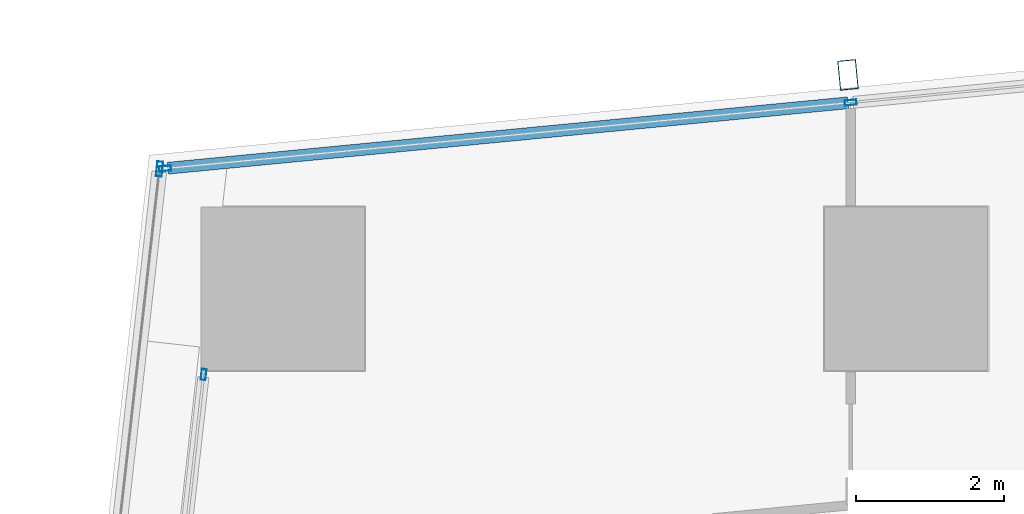
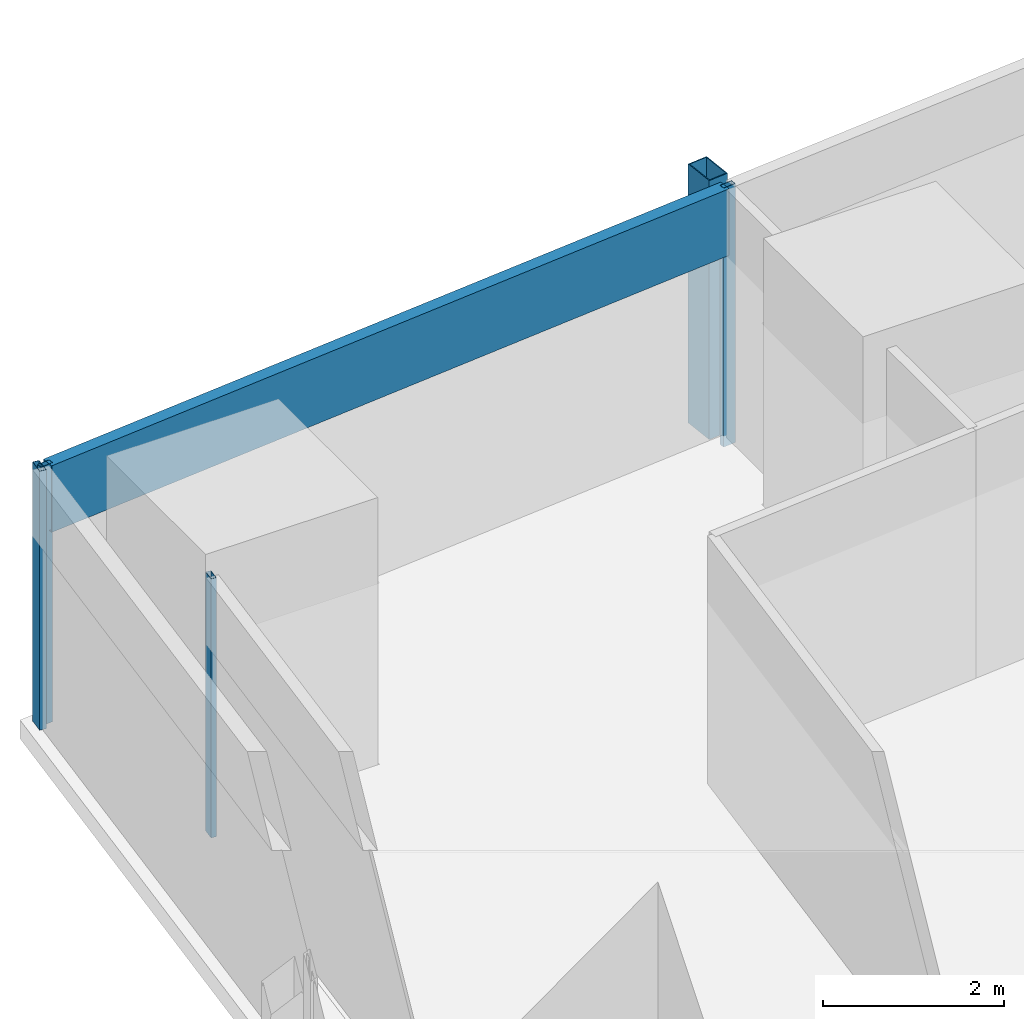
# One storey, part 16 of 42: 6 members, 3 elements without a shape of their own.
"""IFC4 building model written with IfcOpenShell, lengths in metres."""

import ifcopenshell
import ifcopenshell.guid

model = None  # the IFC model being written
_history = None  # IfcOwnerHistory: only IFC2X3 demands one
_inside = {}  # id of a spatial element -> (the spatial element, [elements in it])
_under = {}  # id of a project, library or spatial element -> (it, [spatial elements below it])
_declared = {}  # id of a project -> (the project, [libraries it declares])
_typed = {}  # id of a type object -> (the type object, [elements of that type])
_made_of = {}  # id of a material, layer set ... -> (it, [elements and type objects made of it])


def new_model(schema):
    """Start an empty IFC model of exactly this schema.

    Asked for "IFC4X3", IfcOpenShell would pick the latest addendum, in which some entities
    have other attributes; the version numbers below select the first issue.
    IFC2X3 requires an IfcOwnerHistory on every rooted entity: one is made here for all.
    """
    global model, _history
    if schema == "IFC4X3":
        model = ifcopenshell.file(schema_version=(4, 3, 0, 0))
    else:
        model = ifcopenshell.file(schema=schema)
    _inside.clear()
    _under.clear()
    _declared.clear()
    _typed.clear()
    _made_of.clear()
    _history = None
    if model.schema == "IFC2X3":
        org = make("IfcOrganization", Name="unknown")
        user = make(
            "IfcPersonAndOrganization",
            ThePerson=make("IfcPerson", FamilyName="unknown"),
            TheOrganization=org,
        )
        app = make(
            "IfcApplication",
            ApplicationDeveloper=org,
            Version="unknown",
            ApplicationFullName="unknown",
            ApplicationIdentifier="unknown",
        )
        _history = make(
            "IfcOwnerHistory",
            OwningUser=user,
            OwningApplication=app,
            ChangeAction="ADDED",
            CreationDate=0,
        )
    return model


def make(cls, **values):
    """One entity of the class cls with the attributes given. An attribute that is None is left unset."""
    return model.create_entity(
        cls, **{name: value for name, value in values.items() if value is not None}
    )


def rooted(cls, **values):
    """An entity with a GlobalId (a new one), such as an element, a storey or a relation."""
    return make(cls, GlobalId=ifcopenshell.guid.new(), OwnerHistory=_history, **values)


def si_unit(unit_type, name, prefix=None):
    """IfcSIUnit, for example si_unit("LENGTHUNIT", "METRE", prefix="MILLI")."""
    return make("IfcSIUnit", UnitType=unit_type, Prefix=prefix, Name=name)


def assignment(units):
    """IfcUnitAssignment: the units of a project."""
    return None if units is None else make("IfcUnitAssignment", Units=units)


def point(xyz):
    """IfcCartesianPoint."""
    return None if xyz is None else make("IfcCartesianPoint", Coordinates=xyz)


def direction(xyz):
    """IfcDirection."""
    return None if xyz is None else make("IfcDirection", DirectionRatios=xyz)


def frame(location, z_axis=None, x_axis=None):
    """IfcAxis2Placement3D, a coordinate frame: its origin and axes. An axis left out is left unset."""
    return make(
        "IfcAxis2Placement3D",
        Location=point(location),
        Axis=direction(z_axis),
        RefDirection=direction(x_axis),
    )


def frame_2d(location, x_axis=None):
    """IfcAxis2Placement2D, a coordinate frame in the plane: its origin and x axis."""
    return make(
        "IfcAxis2Placement2D", Location=point(location), RefDirection=direction(x_axis)
    )


def origin():
    """The frame at (0, 0, 0) with its axes left unset."""
    return frame((0.0, 0.0, 0.0))


def origin_2d():
    """The frame at (0, 0) in the plane with its x axis left unset."""
    return frame_2d((0.0, 0.0))


def place(relative_to, where):
    """IfcLocalPlacement: puts the frame where relative to a parent placement (None: the world)."""
    return make(
        "IfcLocalPlacement", PlacementRelTo=relative_to, RelativePlacement=where
    )


def context(
    kind, dimensions, precision=None, world=None, true_north=None, identifier=None
):
    """IfcGeometricRepresentationContext, for example the 3D "Model" context."""
    return make(
        "IfcGeometricRepresentationContext",
        ContextIdentifier=identifier,
        ContextType=kind,
        CoordinateSpaceDimension=dimensions,
        Precision=precision,
        WorldCoordinateSystem=world,
        TrueNorth=true_north,
    )


def subcontext(parent, identifier, kind, view, scale=None):
    """IfcGeometricRepresentationSubContext, for example "Body" below "Model"."""
    return make(
        "IfcGeometricRepresentationSubContext",
        ContextIdentifier=identifier,
        ContextType=kind,
        ParentContext=parent,
        TargetScale=scale,
        TargetView=view,
    )


def project(units=None, contexts=None):
    """IfcProject with its units and contexts."""
    return rooted(
        "IfcProject",
        Name="project",
        RepresentationContexts=contexts,
        UnitsInContext=assignment(units),
    )


def spatial(cls, under=None, at=None, **own):
    """A site, building, storey or space (cls), placed at a placement, below another one or the project."""
    s = rooted(cls, ObjectPlacement=at, **own)
    if under is not None:
        _under.setdefault(under.id(), (under, []))[1].append(s)
    return s


def profile(cls, at=None, kind="AREA", **sizes):
    """A parametric profile (cls). Its sizes go by their IFC names, for example OverallWidth=200.0."""
    return make(cls, ProfileType=kind, Position=at, **sizes)


def hollow_rectangle(**sizes):
    """IfcRectangleHollowProfileDef."""
    return profile("IfcRectangleHollowProfileDef", **sizes)


def extrude(swept, where, along, depth):
    """IfcExtrudedAreaSolid: the profile swept, set in the frame where, extruded along a direction by depth."""
    return make(
        "IfcExtrudedAreaSolid",
        SweptArea=swept,
        Position=where,
        ExtrudedDirection=direction(along),
        Depth=depth,
    )


def shape(context_of_items, identifier, shape_type, items):
    """IfcShapeRepresentation: the items that make up one representation, for example the "Body"."""
    return make(
        "IfcShapeRepresentation",
        ContextOfItems=context_of_items,
        RepresentationIdentifier=identifier,
        RepresentationType=shape_type,
        Items=items,
    )


def material(Name=None, Category=None):
    """IfcMaterial."""
    return make("IfcMaterial", Name=Name, Category=Category)


def material_profile(
    of_material, cross_section, Name=None, Category=None, Priority=None
):
    """IfcMaterialProfile: a cross section and its material."""
    return make(
        "IfcMaterialProfile",
        Name=Name,
        Material=of_material,
        Profile=cross_section,
        Priority=Priority,
        Category=Category,
    )


def profile_set(profiles, Name=None, composite=None):
    """IfcMaterialProfileSet."""
    return make(
        "IfcMaterialProfileSet",
        Name=Name,
        MaterialProfiles=profiles,
        CompositeProfile=composite,
    )


def made_of(thing, what):
    """Note that an element or type object is made of a material, layer set ...; save() writes the relation."""
    if what is not None:
        _made_of.setdefault(what.id(), (what, []))[1].append(thing)
    return thing


def type_object(cls, material=None, **own):
    """A type object (cls), such as IfcWallType, which elements share."""
    return made_of(rooted(cls, **own), material)


def element(
    cls,
    number,
    at=None,
    inside=None,
    cuts=None,
    type_object=None,
    material=None,
    context=None,
    identifier="Body",
    shape_type=None,
    held_by="IfcProductDefinitionShape",
    body=None,
    shapes=None,
    **own,
):
    """One element of the class cls, such as IfcWall. Its Tag is "e" and its number.

    at: its placement. inside: the storey or other place that contains it. cuts: it is an
    opening in that element (IfcRelVoidsElement). A single representation is given by context,
    identifier, shape_type and body (its items); several are given by shapes. held_by: the class
    of the entity that holds the representations. save() writes the other relations.
    """
    e = rooted(cls, Tag="e%d" % number, ObjectPlacement=at, **own)
    if body is not None:
        shapes = [shape(context, identifier, shape_type, body)]
    if shapes is not None:
        e.Representation = make(held_by, Representations=shapes)
    if inside is not None:
        _inside.setdefault(inside.id(), (inside, []))[1].append(e)
    if cuts is not None:
        rooted(
            "IfcRelVoidsElement", RelatingBuildingElement=cuts, RelatedOpeningElement=e
        )
    if type_object is not None:
        _typed.setdefault(type_object.id(), (type_object, []))[1].append(e)
    return made_of(e, material)


def aggregate(whole, parts):
    """IfcRelAggregates: a whole, such as a stair, and the parts it consists of."""
    return rooted("IfcRelAggregates", RelatingObject=whole, RelatedObjects=parts)


def save(model, path):
    """Write the relations noted so far, then the file.

    IfcRelAggregates (storeys below a building ...), IfcRelContainedInSpatialStructure (elements
    in a storey), IfcRelDefinesByType, IfcRelAssociatesMaterial and IfcRelDeclares: one each for
    every whole, place, type object, material and project.
    """
    for whole, parts in _under.values():
        aggregate(whole, parts)
    for where, things in _inside.values():
        rooted(
            "IfcRelContainedInSpatialStructure",
            RelatedElements=things,
            RelatingStructure=where,
        )
    for kind, things in _typed.values():
        rooted("IfcRelDefinesByType", RelatedObjects=things, RelatingType=kind)
    for what, things in _made_of.values():
        rooted("IfcRelAssociatesMaterial", RelatedObjects=things, RelatingMaterial=what)
    for by, libraries in _declared.values():
        rooted("IfcRelDeclares", RelatingContext=by, RelatedDefinitions=libraries)
    model.write(path)


model = new_model("IFC4")

# Units and contexts
model_context = context("Model", 3, precision=1e-05, world=origin(), true_north=direction((0.0, 1.0)))
body_context = subcontext(model_context, "Body", "Model", "MODEL_VIEW")
ifc_project = project(units=[si_unit("LENGTHUNIT", "METRE"), si_unit("AREAUNIT", "SQUARE_METRE"), si_unit("VOLUMEUNIT", "CUBIC_METRE"), si_unit("PLANEANGLEUNIT", "RADIAN"), si_unit("MASSUNIT", "GRAM", prefix="KILO")], contexts=[model_context])

# Site, building, storey
site_placement = place(None, origin())
site = spatial("IfcSite", under=ifc_project, at=site_placement, CompositionType="ELEMENT")
building_placement = place(site_placement, origin())
building = spatial("IfcBuilding", under=site, at=building_placement, Name="Rekha Terrace Tower", CompositionType="ELEMENT")
storey_placement = place(building_placement, frame((0.0, 0.0, 70.39990234375)))
storey = spatial("IfcBuildingStorey", under=building, at=storey_placement, Name="L17", CompositionType="ELEMENT", Elevation=70.39990234375)

# Curtain wall, member
ifc_material_1 = material(Name="Aluminium framing", Category="aluminium")
curtain_wall_type_1 = type_object("IfcCurtainWallType", Name="CW3 north unitised glazing", PredefinedType="USERDEFINED", material=ifc_material_1)
curtain_wall_1_placement = place(storey_placement, origin())
curtain_wall_1 = element("IfcCurtainWall", 1, at=curtain_wall_1_placement, inside=storey, type_object=curtain_wall_type_1, Name="CW3 unitised curtain wall", ObjectType="UNITISED CURTAIN WALL", PredefinedType="USERDEFINED")
ifc_material_2 = material(Name="Steel S355 with fluorocarbon finish", Category="steel")
ifc_material_profile_1 = material_profile(ifc_material_2, hollow_rectangle(XDim=0.25, YDim=0.39990234375, WallThickness=0.012451171875, at=origin_2d()), Name="RHS400x250x12.5")
ifc_profile_set_1 = profile_set([ifc_material_profile_1], Name="Steel S355 with fluorocarbon finish")
member_type_1 = type_object("IfcMemberType", Name="BL1 facade blade RHS 400 x 250", PredefinedType="USERDEFINED", material=ifc_profile_set_1)
member_1_placement = place(storey_placement, frame((16.01708984375, 61.681396484375, 0.0), z_axis=(0.0, 0.0, 1.0), x_axis=(-0.995409070123, -0.095711980009, 0.0)))
member_1 = element("IfcMember", 2, at=member_1_placement, type_object=member_type_1, Name="Facade blade", ObjectType="FACADE BLADE", PredefinedType="USERDEFINED", context=body_context, shape_type="SweptSolid", body=[
    extrude(hollow_rectangle(XDim=0.25, YDim=0.39990234375, WallThickness=0.012451171875, at=origin_2d()), origin(), (0.0, 0.0, 1.0), 3.5),
])

curtain_wall_type_2 = type_object("IfcCurtainWallType", Name="CW1 double skin inner glazing", PredefinedType="USERDEFINED", material=ifc_material_1)
curtain_wall_2_placement = place(storey_placement, origin())
curtain_wall_2 = element("IfcCurtainWall", 3, at=curtain_wall_2_placement, inside=storey, type_object=curtain_wall_type_2, Name="CW1 double skin inner glazing", ObjectType="DOUBLE SKIN INNER GLAZING", PredefinedType="USERDEFINED")
ifc_material_3 = material(Name="Aluminium mullion section", Category="aluminium")
ifc_material_profile_2 = material_profile(ifc_material_3, hollow_rectangle(XDim=0.06494140625, YDim=0.14990234375, WallThickness=0.00390625, at=origin_2d()), Name="AL RHS 65x150")
ifc_profile_set_2 = profile_set([ifc_material_profile_2], Name="Aluminium mullion section")
member_type_2 = type_object("IfcMemberType", Name="CW1 mullion RHS 65 x 150", PredefinedType="MULLION", material=ifc_profile_set_2)
member_2_placement = place(storey_placement, frame((7.334228515625, 57.643310546875, 0.0), z_axis=(0.0, 0.0, 1.0), x_axis=(0.993738615524, -0.111729870748, 0.0)))
member_2 = element("IfcMember", 4, at=member_2_placement, type_object=member_type_2, Name="CW1 mullion 1", PredefinedType="MULLION", context=body_context, shape_type="SweptSolid", body=[
    extrude(hollow_rectangle(XDim=0.06494140625, YDim=0.14990234375, WallThickness=0.00390625, at=origin_2d()), origin(), (0.0, 0.0, 1.0), 3.5),
])
aggregate(curtain_wall_2, [member_2])

curtain_wall_type_3 = type_object("IfcCurtainWallType", Name="CW2 double skin outer glazing", PredefinedType="USERDEFINED", material=ifc_material_1)
curtain_wall_3_placement = place(storey_placement, origin())
curtain_wall_3 = element("IfcCurtainWall", 5, at=curtain_wall_3_placement, inside=storey, type_object=curtain_wall_type_3, Name="CW2 double skin outer glazing", ObjectType="DOUBLE SKIN OUTER GLAZING", PredefinedType="USERDEFINED")
ifc_material_profile_3 = material_profile(ifc_material_3, hollow_rectangle(XDim=0.080078125, YDim=0.199951171875, WallThickness=0.00390625, at=origin_2d()), Name="AL RHS 80x200")
ifc_profile_set_3 = profile_set([ifc_material_profile_3], Name="Aluminium mullion section")
member_type_3 = type_object("IfcMemberType", Name="CW2 mullion RHS 80 x 200", PredefinedType="MULLION", material=ifc_profile_set_3)
member_3_placement = place(storey_placement, frame((6.739990234375, 60.413330078125, 0.0), z_axis=(0.0, 0.0, 1.0), x_axis=(0.99373861552, -0.111729870782, 0.0)))
member_3 = element("IfcMember", 6, at=member_3_placement, type_object=member_type_3, Name="CW2 mullion 1", PredefinedType="MULLION", context=body_context, shape_type="SweptSolid", body=[
    extrude(hollow_rectangle(XDim=0.080078125, YDim=0.199951171875, WallThickness=0.00390625, at=origin_2d()), origin(), (0.0, 0.0, 1.0), 3.5),
])
aggregate(curtain_wall_3, [member_3])

# Member
ifc_material_profile_4 = material_profile(ifc_material_3, hollow_rectangle(XDim=0.070068359375, YDim=0.159912109375, WallThickness=0.00390625, at=origin_2d()), Name="AL RHS 70x160")
ifc_profile_set_4 = profile_set([ifc_material_profile_4], Name="Aluminium mullion section")
member_type_4 = type_object("IfcMemberType", Name="CW3 mullion RHS 70 x 160", PredefinedType="MULLION", material=ifc_profile_set_4)
member_4_placement = place(storey_placement, frame((16.052978515625, 61.30810546875, 0.0), z_axis=(0.0, 0.0, 1.0), x_axis=(0.095712406625, -0.995409029102, 0.0)))
member_4 = element("IfcMember", 7, at=member_4_placement, type_object=member_type_4, Name="CW3 mullion 2", PredefinedType="MULLION", context=body_context, shape_type="SweptSolid", body=[
    extrude(hollow_rectangle(XDim=0.070068359375, YDim=0.159912109375, WallThickness=0.00390625, at=origin_2d()), origin(), (0.0, 0.0, 1.0), 3.5),
])

member_5_placement = place(storey_placement, frame((6.8154296875, 60.419677734375, 0.0), z_axis=(0.0, 0.0, 1.0), x_axis=(0.095712406625, -0.995409029102, 0.0)))
member_5 = element("IfcMember", 8, at=member_5_placement, type_object=member_type_4, Name="CW3 mullion 3", PredefinedType="MULLION", context=body_context, shape_type="SweptSolid", body=[
    extrude(hollow_rectangle(XDim=0.070068359375, YDim=0.159912109375, WallThickness=0.00390625, at=origin_2d()), origin(), (0.0, 0.0, 1.0), 3.5),
])

ifc_material_4 = material(Name="Insulated aluminium spandrel box", Category="aluminium")
ifc_material_profile_5 = material_profile(ifc_material_4, hollow_rectangle(XDim=0.159912109375, YDim=0.89990234375, WallThickness=0.0029296875, at=origin_2d()), Name="AL SPANDREL BOX 160x900")
ifc_profile_set_5 = profile_set([ifc_material_profile_5], Name="Insulated aluminium spandrel box")
member_type_5 = type_object("IfcMemberType", Name="CW3 spandrel transom 160 x 900", PredefinedType="USERDEFINED", material=ifc_profile_set_5)
member_6_placement = place(storey_placement, frame((16.018310546875, 61.3046875, 3.050048828125), z_axis=(-0.995408446287, -0.095718467713, 0.0), x_axis=(0.095718467713, -0.995408446287, 0.0)))
member_6 = element("IfcMember", 9, at=member_6_placement, type_object=member_type_5, Name="CW3 spandrel transom 2", ObjectType="TRANSOM", PredefinedType="USERDEFINED", context=body_context, shape_type="SweptSolid", body=[
    extrude(hollow_rectangle(XDim=0.159912109375, YDim=0.89990234375, WallThickness=0.0029296875, at=origin_2d()), origin(), (0.0, 0.0, 1.0), 9.210205078125),
])

aggregate(curtain_wall_1, [member_4, member_5, member_6, member_1])

save(model, "model.ifc")
